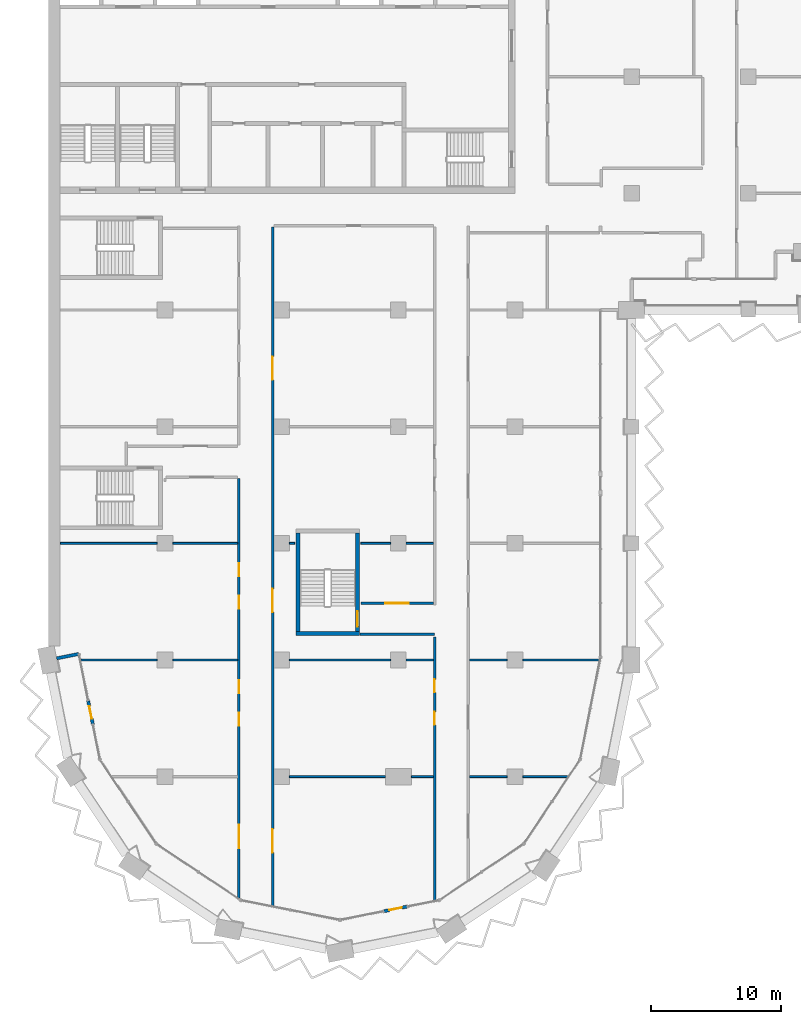
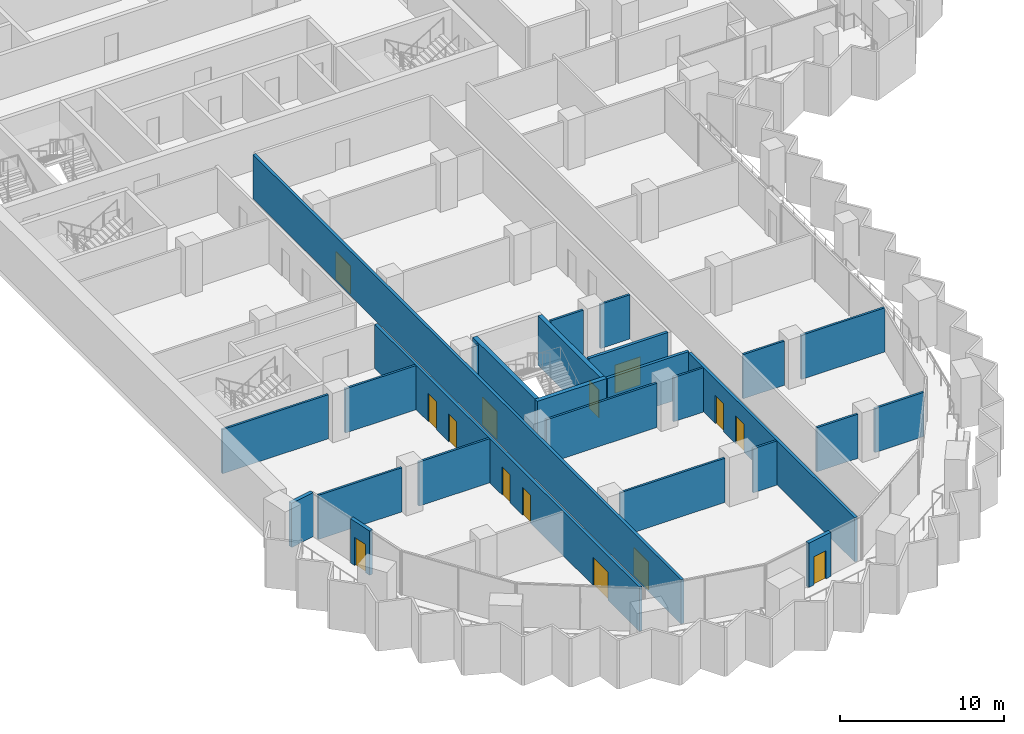
# One storey, part 8 of 22: 26 walls, 14 doors, 14 openings.
"""IFC4 building model written with IfcOpenShell, lengths in metres."""

from ifc_helpers import new_model, si_unit, direction, frame, frame_2d, origin, place, context, subcontext, project, spatial, rectangle, extrude, material, layer, layer_set, type_object, element, fill, save


model = new_model("IFC4")

# Units and contexts
model_context = context("Model", 3, precision=1e-05, world=origin(), true_north=direction((0.0, 1.0)))
body_context = subcontext(model_context, "Body", "Model", "MODEL_VIEW")
ifc_project = project(units=[si_unit("LENGTHUNIT", "METRE"), si_unit("AREAUNIT", "SQUARE_METRE"), si_unit("VOLUMEUNIT", "CUBIC_METRE"), si_unit("PLANEANGLEUNIT", "RADIAN"), si_unit("MASSUNIT", "GRAM", prefix="KILO")], contexts=[model_context])

# Site, building, storey
site_placement = place(None, origin())
site = spatial("IfcSite", under=ifc_project, at=site_placement, CompositionType="ELEMENT")
building_placement = place(site_placement, origin())
building = spatial("IfcBuilding", under=site, at=building_placement, Name="Hunhe Ridgeline Campus", CompositionType="ELEMENT")
storey_placement = place(building_placement, frame((0.0, 0.0, 159.699951171875)))
storey = spatial("IfcBuildingStorey", under=building, at=storey_placement, Name="L40", CompositionType="ELEMENT", Elevation=159.699951171875)

# Walls
ifc_material_1 = material(Name="Concrete C30", Category="concrete")
ifc_layer_1 = layer(ifc_material_1, 0.25)
ifc_layer_set_1 = layer_set([ifc_layer_1], Name="Corner return wall 250 Concrete C30")
wall_type_1 = type_object("IfcWallType", Name="Corner return wall 250 Concrete C30", PredefinedType="SOLIDWALL", material=ifc_layer_set_1)
wall_1_placement = place(storey_placement, frame((0.637451171875, 27.127685546875, 0.0), z_axis=(0.0, 0.0, 1.0), x_axis=(0.980842591884, 0.194801976239, 0.0)))
element("IfcWall", 1, at=wall_1_placement, inside=storey, type_object=wall_type_1, Name="Corner return wall 1", PredefinedType="SOLIDWALL", context=body_context, shape_type="SweptSolid", body=[
    extrude(rectangle(XDim=1.750732421875, YDim=0.25, at=frame_2d((0.87548828125, 0.0))), origin(), (0.0, 0.0, 1.0), 3.300048828125),
])
ifc_material_2 = material(Name="Gypsum board partition")
ifc_layer_2 = layer(ifc_material_2, 0.199951171875)
ifc_layer_set_2 = layer_set([ifc_layer_2], Name="Corridor partition 200 gypsum board on steel studs")
wall_type_2 = type_object("IfcWallType", Name="Corridor partition 200 gypsum board on steel studs", PredefinedType="PARTITIONING", material=ifc_layer_set_2)
wall_2_placement = place(storey_placement, frame((29.800048828125, 28.97509765625, 0.0), z_axis=(0.0, 0.0, 1.0), x_axis=(-1.0, 0.0, 0.0)))
element("IfcWall", 2, at=wall_2_placement, inside=storey, type_object=wall_type_2, Name="F-L40-wall-013", PredefinedType="PARTITIONING", context=body_context, shape_type="SweptSolid", body=[
    extrude(rectangle(XDim=5.77001953125, YDim=0.199951171875, at=frame_2d((2.885009765625, 0.0))), origin(), (0.0, 0.0, 1.0), 3.300048828125),
])

# Wall, opening, door
wall_3_placement = place(storey_placement, frame((24.10400390625, 31.375, 0.0), z_axis=(0.0, 0.0, 1.0), x_axis=(1.0, 0.0, 0.0)))
wall_3 = element("IfcWall", 3, at=wall_3_placement, inside=storey, type_object=wall_type_2, Name="F-L40-wall-014", PredefinedType="PARTITIONING", context=body_context, shape_type="SweptSolid", body=[
    extrude(rectangle(XDim=5.595947265625, YDim=0.199951171875, at=frame_2d((2.7978515625, 0.0))), origin(), (0.0, 0.0, 1.0), 3.300048828125),
])
opening_1_placement = place(wall_3_placement, frame((1.89794921875, 0.0, 0.0)))
opening_1 = element("IfcOpeningElement", 4, at=opening_1_placement, cuts=wall_3, Name="Opening RD2-009", PredefinedType="OPENING", context=body_context, shape_type="SweptSolid", body=[
    extrude(rectangle(XDim=1.800048828125, YDim=2.10009765625, at=frame_2d((0.89990234375, 1.050048828125))), frame((0.0, 0.10009765625, 0.0), z_axis=(0.0, -1.0, 0.0), x_axis=(1.0, 0.0, 0.0)), (0.0, 0.0, 1.0), 0.199951171875),
])
ifc_material_3 = material(Name="Timber door leaf", Category="wood")
door_type_1 = type_object("IfcDoorType", Name="Double fire door 1800x2100 timber FD60", OperationType="DOUBLE_DOOR_SINGLE_SWING", PredefinedType="DOOR", material=ifc_material_3)
door_1_placement = place(opening_1_placement, origin())
door_1 = element("IfcDoor", 5, at=door_1_placement, inside=storey, type_object=door_type_1, Name="F-L40-door-009", OperationType="DOUBLE_DOOR_SINGLE_SWING", OverallHeight=2.10009765625, OverallWidth=1.800048828125, PredefinedType="DOOR", context=body_context, shape_type="SweptSolid", body=[
    extrude(rectangle(XDim=1.800048828125, YDim=2.10009765625, at=frame_2d((0.89990234375, 1.050048828125))), frame((0.0, 0.02490234375, 0.0), z_axis=(0.0, -1.0, 0.0), x_axis=(1.0, 0.0, 0.0)), (0.0, 0.0, 1.0), 0.050048828125),
])
fill(opening_1, door_1)

# Wall, openings, doors
wall_4_placement = place(storey_placement, frame((14.699951171875, 8.623779296875, 0.0), z_axis=(0.0, 0.0, 1.0), x_axis=(0.0, 1.0, 0.0)))
wall_4 = element("IfcWall", 6, at=wall_4_placement, inside=storey, type_object=wall_type_2, Name="F-L40-wall-057", PredefinedType="PARTITIONING", context=body_context, shape_type="SweptSolid", body=[
    extrude(rectangle(XDim=32.376220703125, YDim=0.199951171875, at=frame_2d((16.18798828125, 0.0))), origin(), (0.0, 0.0, 1.0), 3.300048828125),
])
opening_2_placement = place(wall_4_placement, frame((3.86865234375, 0.0, 0.0)))
opening_2 = element("IfcOpeningElement", 7, at=opening_2_placement, cuts=wall_4, Name="Opening RD2-002", PredefinedType="OPENING", context=body_context, shape_type="SweptSolid", body=[
    extrude(rectangle(XDim=1.800048828125, YDim=2.10009765625, at=frame_2d((0.89990234375, 1.050048828125))), frame((0.0, 0.10009765625, 0.0), z_axis=(0.0, -1.0, 0.0), x_axis=(1.0, 0.0, 0.0)), (0.0, 0.0, 1.0), 0.199951171875),
])
opening_3_placement = place(wall_4_placement, frame((13.3037109375, 0.0, 0.0)))
opening_3 = element("IfcOpeningElement", 8, at=opening_3_placement, cuts=wall_4, Name="Opening RD1-004", PredefinedType="OPENING", context=body_context, shape_type="SweptSolid", body=[
    extrude(rectangle(XDim=1.0, YDim=2.10009765625, at=frame_2d((0.5, 1.050048828125))), frame((0.0, 0.10009765625, 0.0), z_axis=(0.0, -1.0, 0.0), x_axis=(1.0, 0.0, 0.0)), (0.0, 0.0, 1.0), 0.199951171875),
])
opening_4_placement = place(wall_4_placement, frame((15.8037109375, 0.0, 0.0)))
opening_4 = element("IfcOpeningElement", 9, at=opening_4_placement, cuts=wall_4, Name="Opening RD1-007", PredefinedType="OPENING", context=body_context, shape_type="SweptSolid", body=[
    extrude(rectangle(XDim=1.0, YDim=2.10009765625, at=frame_2d((0.5, 1.050048828125))), frame((0.0, 0.10009765625, 0.0), z_axis=(0.0, -1.0, 0.0), x_axis=(1.0, 0.0, 0.0)), (0.0, 0.0, 1.0), 0.199951171875),
])
opening_5_placement = place(wall_4_placement, frame((22.339111328125, 0.0, 0.0)))
opening_5 = element("IfcOpeningElement", 10, at=opening_5_placement, cuts=wall_4, Name="Opening RD1-010", PredefinedType="OPENING", context=body_context, shape_type="SweptSolid", body=[
    extrude(rectangle(XDim=1.0, YDim=2.10009765625, at=frame_2d((0.5, 1.050048828125))), frame((0.0, 0.10009765625, 0.0), z_axis=(0.0, -1.0, 0.0), x_axis=(1.0, 0.0, 0.0)), (0.0, 0.0, 1.0), 0.199951171875),
])
opening_6_placement = place(wall_4_placement, frame((24.839111328125, 0.0, 0.0)))
opening_6 = element("IfcOpeningElement", 11, at=opening_6_placement, cuts=wall_4, Name="Opening RD1-013", PredefinedType="OPENING", context=body_context, shape_type="SweptSolid", body=[
    extrude(rectangle(XDim=1.0, YDim=2.10009765625, at=frame_2d((0.5, 1.050048828125))), frame((0.0, 0.10009765625, 0.0), z_axis=(0.0, -1.0, 0.0), x_axis=(1.0, 0.0, 0.0)), (0.0, 0.0, 1.0), 0.199951171875),
])
door_2_placement = place(opening_2_placement, origin())
door_2 = element("IfcDoor", 12, at=door_2_placement, inside=storey, type_object=door_type_1, Name="F-L40-door-002", OperationType="DOUBLE_DOOR_SINGLE_SWING", OverallHeight=2.10009765625, OverallWidth=1.800048828125, PredefinedType="DOOR", context=body_context, shape_type="SweptSolid", body=[
    extrude(rectangle(XDim=1.800048828125, YDim=2.10009765625, at=frame_2d((0.89990234375, 1.050048828125))), frame((0.0, 0.02490234375, 0.0), z_axis=(0.0, -1.0, 0.0), x_axis=(1.0, 0.0, 0.0)), (0.0, 0.0, 1.0), 0.050048828125),
])
fill(opening_2, door_2)
door_type_2 = type_object("IfcDoorType", Name="Single fire door 1000x2100 timber FD60", OperationType="NOTDEFINED", PredefinedType="DOOR", material=ifc_material_3)
door_3_placement = place(opening_3_placement, frame((1.0, 0.0, 0.0), z_axis=(0.0, 0.0, 1.0), x_axis=(-1.0, 0.0, 0.0)))
door_3 = element("IfcDoor", 13, at=door_3_placement, inside=storey, type_object=door_type_2, Name="F-L40-door-004", OperationType="SINGLE_SWING_LEFT", OverallHeight=2.10009765625, OverallWidth=1.0, PredefinedType="DOOR", context=body_context, shape_type="SweptSolid", body=[
    extrude(rectangle(XDim=1.0, YDim=2.10009765625, at=frame_2d((0.5, 1.050048828125))), frame((0.0, 0.02490234375, 0.0), z_axis=(0.0, -1.0, 0.0), x_axis=(1.0, 0.0, 0.0)), (0.0, 0.0, 1.0), 0.050048828125),
])
fill(opening_3, door_3)
door_4_placement = place(opening_4_placement, frame((1.0, 0.0, 0.0), z_axis=(0.0, 0.0, 1.0), x_axis=(-1.0, 0.0, 0.0)))
door_4 = element("IfcDoor", 14, at=door_4_placement, inside=storey, type_object=door_type_2, Name="F-L40-door-007", OperationType="SINGLE_SWING_LEFT", OverallHeight=2.10009765625, OverallWidth=1.0, PredefinedType="DOOR", context=body_context, shape_type="SweptSolid", body=[
    extrude(rectangle(XDim=1.0, YDim=2.10009765625, at=frame_2d((0.5, 1.050048828125))), frame((0.0, 0.02490234375, 0.0), z_axis=(0.0, -1.0, 0.0), x_axis=(1.0, 0.0, 0.0)), (0.0, 0.0, 1.0), 0.050048828125),
])
fill(opening_4, door_4)
door_5_placement = place(opening_5_placement, frame((1.0, 0.0, 0.0), z_axis=(0.0, 0.0, 1.0), x_axis=(-1.0, 0.0, 0.0)))
door_5 = element("IfcDoor", 15, at=door_5_placement, inside=storey, type_object=door_type_2, Name="F-L40-door-010", OperationType="SINGLE_SWING_LEFT", OverallHeight=2.10009765625, OverallWidth=1.0, PredefinedType="DOOR", context=body_context, shape_type="SweptSolid", body=[
    extrude(rectangle(XDim=1.0, YDim=2.10009765625, at=frame_2d((0.5, 1.050048828125))), frame((0.0, 0.02490234375, 0.0), z_axis=(0.0, -1.0, 0.0), x_axis=(1.0, 0.0, 0.0)), (0.0, 0.0, 1.0), 0.050048828125),
])
fill(opening_5, door_5)
door_6_placement = place(opening_6_placement, frame((1.0, 0.0, 0.0), z_axis=(0.0, 0.0, 1.0), x_axis=(-1.0, 0.0, 0.0)))
door_6 = element("IfcDoor", 16, at=door_6_placement, inside=storey, type_object=door_type_2, Name="F-L40-door-013", OperationType="SINGLE_SWING_LEFT", OverallHeight=2.10009765625, OverallWidth=1.0, PredefinedType="DOOR", context=body_context, shape_type="SweptSolid", body=[
    extrude(rectangle(XDim=1.0, YDim=2.10009765625, at=frame_2d((0.5, 1.050048828125))), frame((0.0, 0.02490234375, 0.0), z_axis=(0.0, -1.0, 0.0), x_axis=(1.0, 0.0, 0.0)), (0.0, 0.0, 1.0), 0.050048828125),
])
fill(opening_6, door_6)

wall_5_placement = place(storey_placement, frame((17.300048828125, 60.39990234375, 0.0), z_axis=(0.0, 0.0, 1.0), x_axis=(0.0, -1.0, 0.0)))
wall_5 = element("IfcWall", 17, at=wall_5_placement, inside=storey, type_object=wall_type_2, Name="F-L40-wall-059", PredefinedType="PARTITIONING", context=body_context, shape_type="SweptSolid", body=[
    extrude(rectangle(XDim=52.362548828125, YDim=0.199951171875, at=frame_2d((26.18115234375, 0.0))), origin(), (0.0, 0.0, 1.0), 3.300048828125),
])
opening_7_placement = place(wall_5_placement, frame((46.451904296875, 0.0, 0.0)))
opening_7 = element("IfcOpeningElement", 18, at=opening_7_placement, cuts=wall_5, Name="Opening RD2-001", PredefinedType="OPENING", context=body_context, shape_type="SweptSolid", body=[
    extrude(rectangle(XDim=1.800048828125, YDim=2.10009765625, at=frame_2d((0.89990234375, 1.050048828125))), frame((0.0, 0.10009765625, 0.0), z_axis=(0.0, -1.0, 0.0), x_axis=(1.0, 0.0, 0.0)), (0.0, 0.0, 1.0), 0.199951171875),
])
opening_8_placement = place(wall_5_placement, frame((27.911865234375, 0.0, 0.0)))
opening_8 = element("IfcOpeningElement", 19, at=opening_8_placement, cuts=wall_5, Name="Opening RD2-011", PredefinedType="OPENING", context=body_context, shape_type="SweptSolid", body=[
    extrude(rectangle(XDim=1.800048828125, YDim=2.10009765625, at=frame_2d((0.89990234375, 1.050048828125))), frame((0.0, 0.10009765625, 0.0), z_axis=(0.0, -1.0, 0.0), x_axis=(1.0, 0.0, 0.0)), (0.0, 0.0, 1.0), 0.199951171875),
])
opening_9_placement = place(wall_5_placement, frame((9.998291015625, 0.0, 0.0)))
opening_9 = element("IfcOpeningElement", 20, at=opening_9_placement, cuts=wall_5, Name="Opening RD2-021", PredefinedType="OPENING", context=body_context, shape_type="SweptSolid", body=[
    extrude(rectangle(XDim=1.800048828125, YDim=2.10009765625, at=frame_2d((0.89990234375, 1.050048828125))), frame((0.0, 0.10009765625, 0.0), z_axis=(0.0, -1.0, 0.0), x_axis=(1.0, 0.0, 0.0)), (0.0, 0.0, 1.0), 0.199951171875),
])
door_7_placement = place(opening_7_placement, origin())
door_7 = element("IfcDoor", 21, at=door_7_placement, inside=storey, type_object=door_type_1, Name="F-L40-door-001", OperationType="DOUBLE_DOOR_SINGLE_SWING", OverallHeight=2.10009765625, OverallWidth=1.800048828125, PredefinedType="DOOR", context=body_context, shape_type="SweptSolid", body=[
    extrude(rectangle(XDim=1.800048828125, YDim=2.10009765625, at=frame_2d((0.89990234375, 1.050048828125))), frame((0.0, 0.02490234375, 0.0), z_axis=(0.0, -1.0, 0.0), x_axis=(1.0, 0.0, 0.0)), (0.0, 0.0, 1.0), 0.050048828125),
])
fill(opening_7, door_7)
door_8_placement = place(opening_8_placement, origin())
door_8 = element("IfcDoor", 22, at=door_8_placement, inside=storey, type_object=door_type_1, Name="F-L40-door-011", OperationType="DOUBLE_DOOR_SINGLE_SWING", OverallHeight=2.10009765625, OverallWidth=1.800048828125, PredefinedType="DOOR", context=body_context, shape_type="SweptSolid", body=[
    extrude(rectangle(XDim=1.800048828125, YDim=2.10009765625, at=frame_2d((0.89990234375, 1.050048828125))), frame((0.0, 0.02490234375, 0.0), z_axis=(0.0, -1.0, 0.0), x_axis=(1.0, 0.0, 0.0)), (0.0, 0.0, 1.0), 0.050048828125),
])
fill(opening_8, door_8)
door_9_placement = place(opening_9_placement, origin())
door_9 = element("IfcDoor", 23, at=door_9_placement, inside=storey, type_object=door_type_1, Name="F-L40-door-021", OperationType="DOUBLE_DOOR_SINGLE_SWING", OverallHeight=2.10009765625, OverallWidth=1.800048828125, PredefinedType="DOOR", context=body_context, shape_type="SweptSolid", body=[
    extrude(rectangle(XDim=1.800048828125, YDim=2.10009765625, at=frame_2d((0.89990234375, 1.050048828125))), frame((0.0, 0.02490234375, 0.0), z_axis=(0.0, -1.0, 0.0), x_axis=(1.0, 0.0, 0.0)), (0.0, 0.0, 1.0), 0.050048828125),
])
fill(opening_9, door_9)

wall_6_placement = place(storey_placement, frame((29.800048828125, 8.455078125, 0.0), z_axis=(0.0, 0.0, 1.0), x_axis=(0.0, 1.0, 0.0)))
wall_6 = element("IfcWall", 24, at=wall_6_placement, inside=storey, type_object=wall_type_2, Name="F-L40-wall-060", PredefinedType="PARTITIONING", context=body_context, shape_type="SweptSolid", body=[
    extrude(rectangle(XDim=20.322265625, YDim=0.199951171875, at=frame_2d((10.1611328125, 0.0))), origin(), (0.0, 0.0, 1.0), 3.300048828125),
])
opening_10_placement = place(wall_6_placement, frame((13.550048828125, 0.0, 0.0)))
opening_10 = element("IfcOpeningElement", 25, at=opening_10_placement, cuts=wall_6, Name="Opening RD1-005", PredefinedType="OPENING", context=body_context, shape_type="SweptSolid", body=[
    extrude(rectangle(XDim=1.0, YDim=2.10009765625, at=frame_2d((0.5, 1.050048828125))), frame((0.0, 0.10009765625, 0.0), z_axis=(0.0, -1.0, 0.0), x_axis=(1.0, 0.0, 0.0)), (0.0, 0.0, 1.0), 0.199951171875),
])
opening_11_placement = place(wall_6_placement, frame((16.050048828125, 0.0, 0.0)))
opening_11 = element("IfcOpeningElement", 26, at=opening_11_placement, cuts=wall_6, Name="Opening RD1-008", PredefinedType="OPENING", context=body_context, shape_type="SweptSolid", body=[
    extrude(rectangle(XDim=1.0, YDim=2.10009765625, at=frame_2d((0.5, 1.050048828125))), frame((0.0, 0.10009765625, 0.0), z_axis=(0.0, -1.0, 0.0), x_axis=(1.0, 0.0, 0.0)), (0.0, 0.0, 1.0), 0.199951171875),
])
door_10_placement = place(opening_10_placement, frame((1.0, 0.0, 0.0), z_axis=(0.0, 0.0, 1.0), x_axis=(-1.0, 0.0, 0.0)))
door_10 = element("IfcDoor", 27, at=door_10_placement, inside=storey, type_object=door_type_2, Name="F-L40-door-005", OperationType="SINGLE_SWING_LEFT", OverallHeight=2.10009765625, OverallWidth=1.0, PredefinedType="DOOR", context=body_context, shape_type="SweptSolid", body=[
    extrude(rectangle(XDim=1.0, YDim=2.10009765625, at=frame_2d((0.5, 1.050048828125))), frame((0.0, 0.02490234375, 0.0), z_axis=(0.0, -1.0, 0.0), x_axis=(1.0, 0.0, 0.0)), (0.0, 0.0, 1.0), 0.050048828125),
])
fill(opening_10, door_10)
door_11_placement = place(opening_11_placement, frame((1.0, 0.0, 0.0), z_axis=(0.0, 0.0, 1.0), x_axis=(-1.0, 0.0, 0.0)))
door_11 = element("IfcDoor", 28, at=door_11_placement, inside=storey, type_object=door_type_2, Name="F-L40-door-008", OperationType="SINGLE_SWING_LEFT", OverallHeight=2.10009765625, OverallWidth=1.0, PredefinedType="DOOR", context=body_context, shape_type="SweptSolid", body=[
    extrude(rectangle(XDim=1.0, YDim=2.10009765625, at=frame_2d((0.5, 1.050048828125))), frame((0.0, 0.02490234375, 0.0), z_axis=(0.0, -1.0, 0.0), x_axis=(1.0, 0.0, 0.0)), (0.0, 0.0, 1.0), 0.050048828125),
])
fill(opening_11, door_11)

# Wall, opening, door
ifc_layer_3 = layer(ifc_material_1, 0.25)
ifc_layer_set_3 = layer_set([ifc_layer_3], Name="Loggia door pier wall 250 Concrete C30")
wall_type_3 = type_object("IfcWallType", Name="Loggia door pier wall 250 Concrete C30", PredefinedType="SOLIDWALL", material=ifc_layer_set_3)
wall_7_placement = place(storey_placement, frame((3.076904296875, 23.8388671875, 0.0), z_axis=(0.0, 0.0, 1.0), x_axis=(0.195046569833, -0.980793982239, 0.0)))
wall_7 = element("IfcWall", 29, at=wall_7_placement, inside=storey, type_object=wall_type_3, Name="Loggia door pier 1", PredefinedType="SOLIDWALL", context=body_context, shape_type="SweptSolid", body=[
    extrude(rectangle(XDim=1.800048828125, YDim=0.25, at=frame_2d((0.89990234375, 0.0))), origin(), (0.0, 0.0, 1.0), 3.300048828125),
])
opening_12_placement = place(wall_7_placement, frame((0.39990234375, 0.0, 0.0)))
opening_12 = element("IfcOpeningElement", 30, at=opening_12_placement, cuts=wall_7, Name="Opening BD301", PredefinedType="OPENING", context=body_context, shape_type="SweptSolid", body=[
    extrude(rectangle(XDim=1.0, YDim=2.10009765625, at=frame_2d((0.5, 1.050048828125))), frame((0.0, 0.125, 0.0), z_axis=(0.0, -1.0, 0.0), x_axis=(1.0, 0.0, 0.0)), (0.0, 0.0, 1.0), 0.25),
])
ifc_material_4 = material(Name="Aluminium 6063", Category="aluminium")
door_type_3 = type_object("IfcDoorType", Name="Loggia glazed door 1000x2100", OperationType="NOTDEFINED", PredefinedType="DOOR", material=ifc_material_4)
door_12_placement = place(opening_12_placement, frame((1.0, 0.0, 0.0), z_axis=(0.0, 0.0, 1.0), x_axis=(-1.0, 0.0, 0.0)))
door_12 = element("IfcDoor", 31, at=door_12_placement, inside=storey, type_object=door_type_3, Name="Loggia door BD301", OperationType="SINGLE_SWING_RIGHT", OverallHeight=2.10009765625, OverallWidth=1.0, PredefinedType="DOOR", context=body_context, shape_type="SweptSolid", body=[
    extrude(rectangle(XDim=1.0, YDim=2.10009765625, at=frame_2d((0.5, 1.050048828125))), frame((0.0, 0.02490234375, 0.0), z_axis=(0.0, -1.0, 0.0), x_axis=(1.0, 0.0, 0.0)), (0.0, 0.0, 1.0), 0.050048828125),
])
fill(opening_12, door_12)

wall_8_placement = place(storey_placement, frame((25.8955078125, 7.62353515625, 0.0), z_axis=(0.0, 0.0, 1.0), x_axis=(0.980793982239, 0.195046569833, 0.0)))
wall_8 = element("IfcWall", 32, at=wall_8_placement, inside=storey, type_object=wall_type_3, Name="Loggia door pier 2", PredefinedType="SOLIDWALL", context=body_context, shape_type="SweptSolid", body=[
    extrude(rectangle(XDim=1.800048828125, YDim=0.25, at=frame_2d((0.89990234375, 0.0))), origin(), (0.0, 0.0, 1.0), 3.300048828125),
])
opening_13_placement = place(wall_8_placement, frame((0.39990234375, 0.0, 0.0)))
opening_13 = element("IfcOpeningElement", 33, at=opening_13_placement, cuts=wall_8, Name="Opening BD303", PredefinedType="OPENING", context=body_context, shape_type="SweptSolid", body=[
    extrude(rectangle(XDim=1.0, YDim=2.10009765625, at=frame_2d((0.5, 1.050048828125))), frame((0.0, 0.125, 0.0), z_axis=(0.0, -1.0, 0.0), x_axis=(1.0, 0.0, 0.0)), (0.0, 0.0, 1.0), 0.25),
])
door_13_placement = place(opening_13_placement, frame((1.0, 0.0, 0.0), z_axis=(0.0, 0.0, 1.0), x_axis=(-1.0, 0.0, 0.0)))
door_13 = element("IfcDoor", 34, at=door_13_placement, inside=storey, type_object=door_type_3, Name="Loggia door BD303", OperationType="SINGLE_SWING_RIGHT", OverallHeight=2.10009765625, OverallWidth=1.0, PredefinedType="DOOR", context=body_context, shape_type="SweptSolid", body=[
    extrude(rectangle(XDim=1.0, YDim=2.10009765625, at=frame_2d((0.5, 1.050048828125))), frame((0.0, 0.02490234375, 0.0), z_axis=(0.0, -1.0, 0.0), x_axis=(1.0, 0.0, 0.0)), (0.0, 0.0, 1.0), 0.050048828125),
])
fill(opening_13, door_13)

# Walls
ifc_layer_4 = layer(ifc_material_2, 0.14990234375)
ifc_layer_set_4 = layer_set([ifc_layer_4], Name="Room partition 150 gypsum board on steel studs")
wall_type_4 = type_object("IfcWallType", Name="Room partition 150 gypsum board on steel studs", PredefinedType="PARTITIONING", material=ifc_layer_set_4)
wall_9_placement = place(storey_placement, frame((18.60009765625, 18.0, 0.0), z_axis=(0.0, 0.0, 1.0), x_axis=(1.0, 0.0, 0.0)))
element("IfcWall", 35, at=wall_9_placement, inside=storey, type_object=wall_type_4, Name="F-L40-wall-003", PredefinedType="PARTITIONING", context=body_context, shape_type="SweptSolid", body=[
    extrude(rectangle(XDim=7.39990234375, YDim=0.14990234375, at=frame_2d((3.699951171875, 0.0))), origin(), (0.0, 0.0, 1.0), 3.300048828125),
])
wall_10_placement = place(storey_placement, frame((28.0, 18.0, 0.0), z_axis=(0.0, 0.0, 1.0), x_axis=(1.0, 0.0, 0.0)))
element("IfcWall", 36, at=wall_10_placement, inside=storey, type_object=wall_type_4, Name="F-L40-wall-004", PredefinedType="PARTITIONING", context=body_context, shape_type="SweptSolid", body=[
    extrude(rectangle(XDim=1.699951171875, YDim=0.14990234375, at=frame_2d((0.85009765625, 0.0))), origin(), (0.0, 0.0, 1.0), 3.300048828125),
])
wall_11_placement = place(storey_placement, frame((32.5, 18.0, 0.0), z_axis=(0.0, 0.0, 1.0), x_axis=(1.0, 0.0, 0.0)))
element("IfcWall", 37, at=wall_11_placement, inside=storey, type_object=wall_type_4, Name="F-L40-wall-005", PredefinedType="PARTITIONING", context=body_context, shape_type="SweptSolid", body=[
    extrude(rectangle(XDim=2.89990234375, YDim=0.14990234375, at=frame_2d((1.449951171875, 0.0))), origin(), (0.0, 0.0, 1.0), 3.300048828125),
])
wall_12_placement = place(storey_placement, frame((36.60009765625, 18.0, 0.0), z_axis=(0.0, 0.0, 1.0), x_axis=(1.0, 0.0, 0.0)))
element("IfcWall", 38, at=wall_12_placement, inside=storey, type_object=wall_type_4, Name="F-L40-wall-006", PredefinedType="PARTITIONING", context=body_context, shape_type="SweptSolid", body=[
    extrude(rectangle(XDim=3.474365234375, YDim=0.14990234375, at=frame_2d((1.7373046875, 0.0))), origin(), (0.0, 0.0, 1.0), 3.300048828125),
])
wall_13_placement = place(storey_placement, frame((2.503173828125, 27.0, 0.0), z_axis=(0.0, 0.0, 1.0), x_axis=(1.0, 0.0, 0.0)))
element("IfcWall", 39, at=wall_13_placement, inside=storey, type_object=wall_type_4, Name="F-L40-wall-007", PredefinedType="PARTITIONING", context=body_context, shape_type="SweptSolid", body=[
    extrude(rectangle(XDim=5.896728515625, YDim=0.14990234375, at=frame_2d((2.9482421875, 0.0))), origin(), (0.0, 0.0, 1.0), 3.300048828125),
])
wall_14_placement = place(storey_placement, frame((9.60009765625, 27.0, 0.0), z_axis=(0.0, 0.0, 1.0), x_axis=(1.0, 0.0, 0.0)))
element("IfcWall", 40, at=wall_14_placement, inside=storey, type_object=wall_type_4, Name="F-L40-wall-008", PredefinedType="PARTITIONING", context=body_context, shape_type="SweptSolid", body=[
    extrude(rectangle(XDim=5.0, YDim=0.14990234375, at=frame_2d((2.5, 0.0))), origin(), (0.0, 0.0, 1.0), 3.300048828125),
])
wall_15_placement = place(storey_placement, frame((18.60009765625, 27.0, 0.0), z_axis=(0.0, 0.0, 1.0), x_axis=(1.0, 0.0, 0.0)))
element("IfcWall", 41, at=wall_15_placement, inside=storey, type_object=wall_type_4, Name="F-L40-wall-009", PredefinedType="PARTITIONING", context=body_context, shape_type="SweptSolid", body=[
    extrude(rectangle(XDim=7.7998046875, YDim=0.14990234375, at=frame_2d((3.89990234375, 0.0))), origin(), (0.0, 0.0, 1.0), 3.300048828125),
])
wall_16_placement = place(storey_placement, frame((27.60009765625, 27.0, 0.0), z_axis=(0.0, 0.0, 1.0), x_axis=(1.0, 0.0, 0.0)))
element("IfcWall", 42, at=wall_16_placement, inside=storey, type_object=wall_type_4, Name="F-L40-wall-010", PredefinedType="PARTITIONING", context=body_context, shape_type="SweptSolid", body=[
    extrude(rectangle(XDim=2.099853515625, YDim=0.14990234375, at=frame_2d((1.0498046875, 0.0))), origin(), (0.0, 0.0, 1.0), 3.300048828125),
])
wall_17_placement = place(storey_placement, frame((32.5, 27.0, 0.0), z_axis=(0.0, 0.0, 1.0), x_axis=(1.0, 0.0, 0.0)))
element("IfcWall", 43, at=wall_17_placement, inside=storey, type_object=wall_type_4, Name="F-L40-wall-011", PredefinedType="PARTITIONING", context=body_context, shape_type="SweptSolid", body=[
    extrude(rectangle(XDim=2.89990234375, YDim=0.14990234375, at=frame_2d((1.449951171875, 0.0))), origin(), (0.0, 0.0, 1.0), 3.300048828125),
])
wall_18_placement = place(storey_placement, frame((36.60009765625, 27.0, 0.0), z_axis=(0.0, 0.0, 1.0), x_axis=(1.0, 0.0, 0.0)))
element("IfcWall", 44, at=wall_18_placement, inside=storey, type_object=wall_type_4, Name="F-L40-wall-012", PredefinedType="PARTITIONING", context=body_context, shape_type="SweptSolid", body=[
    extrude(rectangle(XDim=5.896728515625, YDim=0.14990234375, at=frame_2d((2.9482421875, 0.0))), origin(), (0.0, 0.0, 1.0), 3.300048828125),
])
wall_19_placement = place(storey_placement, frame((0.919921875, 36.0, 0.0), z_axis=(0.0, 0.0, 1.0), x_axis=(1.0, 0.0, 0.0)))
element("IfcWall", 45, at=wall_19_placement, inside=storey, type_object=wall_type_4, Name="F-L40-wall-015", PredefinedType="PARTITIONING", context=body_context, shape_type="SweptSolid", body=[
    extrude(rectangle(XDim=7.47998046875, YDim=0.14990234375, at=frame_2d((3.739990234375, 0.0))), origin(), (0.0, 0.0, 1.0), 3.300048828125),
])
wall_20_placement = place(storey_placement, frame((9.60009765625, 36.0, 0.0), z_axis=(0.0, 0.0, 1.0), x_axis=(1.0, 0.0, 0.0)))
element("IfcWall", 46, at=wall_20_placement, inside=storey, type_object=wall_type_4, Name="F-L40-wall-016", PredefinedType="PARTITIONING", context=body_context, shape_type="SweptSolid", body=[
    extrude(rectangle(XDim=5.0, YDim=0.14990234375, at=frame_2d((2.5, 0.0))), origin(), (0.0, 0.0, 1.0), 3.300048828125),
])
wall_21_placement = place(storey_placement, frame((18.60009765625, 36.0, 0.0), z_axis=(0.0, 0.0, 1.0), x_axis=(1.0, 0.0, 0.0)))
element("IfcWall", 47, at=wall_21_placement, inside=storey, type_object=wall_type_4, Name="F-L40-wall-017", PredefinedType="PARTITIONING", context=body_context, shape_type="SweptSolid", body=[
    extrude(rectangle(XDim=0.39599609375, YDim=0.14990234375, at=frame_2d((0.197998046875, 0.0))), origin(), (0.0, 0.0, 1.0), 3.300048828125),
])
wall_22_placement = place(storey_placement, frame((24.10400390625, 36.0, 0.0), z_axis=(0.0, 0.0, 1.0), x_axis=(1.0, 0.0, 0.0)))
element("IfcWall", 48, at=wall_22_placement, inside=storey, type_object=wall_type_4, Name="F-L40-wall-018", PredefinedType="PARTITIONING", context=body_context, shape_type="SweptSolid", body=[
    extrude(rectangle(XDim=2.2958984375, YDim=0.14990234375, at=frame_2d((1.14794921875, 0.0))), origin(), (0.0, 0.0, 1.0), 3.300048828125),
])
wall_23_placement = place(storey_placement, frame((27.60009765625, 36.0, 0.0), z_axis=(0.0, 0.0, 1.0), x_axis=(1.0, 0.0, 0.0)))
element("IfcWall", 49, at=wall_23_placement, inside=storey, type_object=wall_type_4, Name="F-L40-wall-019", PredefinedType="PARTITIONING", context=body_context, shape_type="SweptSolid", body=[
    extrude(rectangle(XDim=2.099853515625, YDim=0.14990234375, at=frame_2d((1.0498046875, 0.0))), origin(), (0.0, 0.0, 1.0), 3.300048828125),
])
ifc_material_5 = material(Name="Concrete C70", Category="concrete")
ifc_layer_5 = layer(ifc_material_5, 0.300048828125)
ifc_layer_set_5 = layer_set([ifc_layer_5], Name="Stair wall 300 reinforced concrete C70")
wall_type_5 = type_object("IfcWallType", Name="Stair wall 300 reinforced concrete C70", PredefinedType="SOLIDWALL", material=ifc_layer_set_5)
wall_24_placement = place(storey_placement, frame((19.10009765625, 29.050048828125, -0.39990234375), z_axis=(0.0, 0.0, 1.0), x_axis=(1.0, 0.0, 0.0)))
element("IfcWall", 50, at=wall_24_placement, inside=storey, type_object=wall_type_5, Name="L40 core wall 1", PredefinedType="SOLIDWALL", context=body_context, shape_type="SweptSolid", body=[
    extrude(rectangle(XDim=4.89990234375, YDim=0.300048828125, at=frame_2d((2.449951171875, 0.0))), origin(), (0.0, 0.0, 1.0), 3.699951171875),
])
wall_25_placement = place(storey_placement, frame((19.25, 29.199951171875, -0.39990234375), z_axis=(0.0, 0.0, 1.0), x_axis=(0.0, 1.0, 0.0)))
element("IfcWall", 51, at=wall_25_placement, inside=storey, type_object=wall_type_5, Name="L40 core wall 45", PredefinedType="SOLIDWALL", context=body_context, shape_type="SweptSolid", body=[
    extrude(rectangle(XDim=7.60009765625, YDim=0.300048828125, at=frame_2d((3.800048828125, 0.0))), origin(), (0.0, 0.0, 1.0), 3.699951171875),
])

# Wall, opening, door
wall_26_placement = place(storey_placement, frame((23.85009765625, 29.199951171875, -0.39990234375), z_axis=(0.0, 0.0, 1.0), x_axis=(0.0, 1.0, 0.0)))
wall_26 = element("IfcWall", 52, at=wall_26_placement, inside=storey, type_object=wall_type_5, Name="L40 core wall 50", PredefinedType="SOLIDWALL", context=body_context, shape_type="SweptSolid", body=[
    extrude(rectangle(XDim=7.60009765625, YDim=0.300048828125, at=frame_2d((3.800048828125, 0.0))), origin(), (0.0, 0.0, 1.0), 3.699951171875),
])
opening_14_placement = place(wall_26_placement, frame((0.375, 0.0, 0.39990234375)))
opening_14 = element("IfcOpeningElement", 53, at=opening_14_placement, cuts=wall_26, Name="Opening CD23", PredefinedType="OPENING", context=body_context, shape_type="SweptSolid", body=[
    extrude(rectangle(XDim=1.199951171875, YDim=2.10009765625, at=frame_2d((0.60009765625, 1.050048828125))), frame((0.0, 0.14990234375, 0.0), z_axis=(0.0, -1.0, 0.0), x_axis=(1.0, 0.0, 0.0)), (0.0, 0.0, 1.0), 0.300048828125),
])
ifc_material_6 = material(Name="Hollow metal fire door leaf")
door_type_4 = type_object("IfcDoorType", Name="Stair door 1200x2100 FD60", OperationType="SINGLE_SWING_LEFT", PredefinedType="DOOR", material=ifc_material_6)
door_14_placement = place(opening_14_placement, frame((1.199951171875, 0.0, 0.0), z_axis=(0.0, 0.0, 1.0), x_axis=(-1.0, 0.0, 0.0)))
door_14 = element("IfcDoor", 54, at=door_14_placement, inside=storey, type_object=door_type_4, Name="L40 door W3", OperationType="SINGLE_SWING_RIGHT", OverallHeight=2.10009765625, OverallWidth=1.199951171875, PredefinedType="DOOR", context=body_context, shape_type="SweptSolid", body=[
    extrude(rectangle(XDim=1.199951171875, YDim=2.10009765625, at=frame_2d((0.60009765625, 1.050048828125))), frame((0.0, 0.02490234375, 0.0), z_axis=(0.0, -1.0, 0.0), x_axis=(1.0, 0.0, 0.0)), (0.0, 0.0, 1.0), 0.050048828125),
])
fill(opening_14, door_14)

save(model, "model.ifc")
